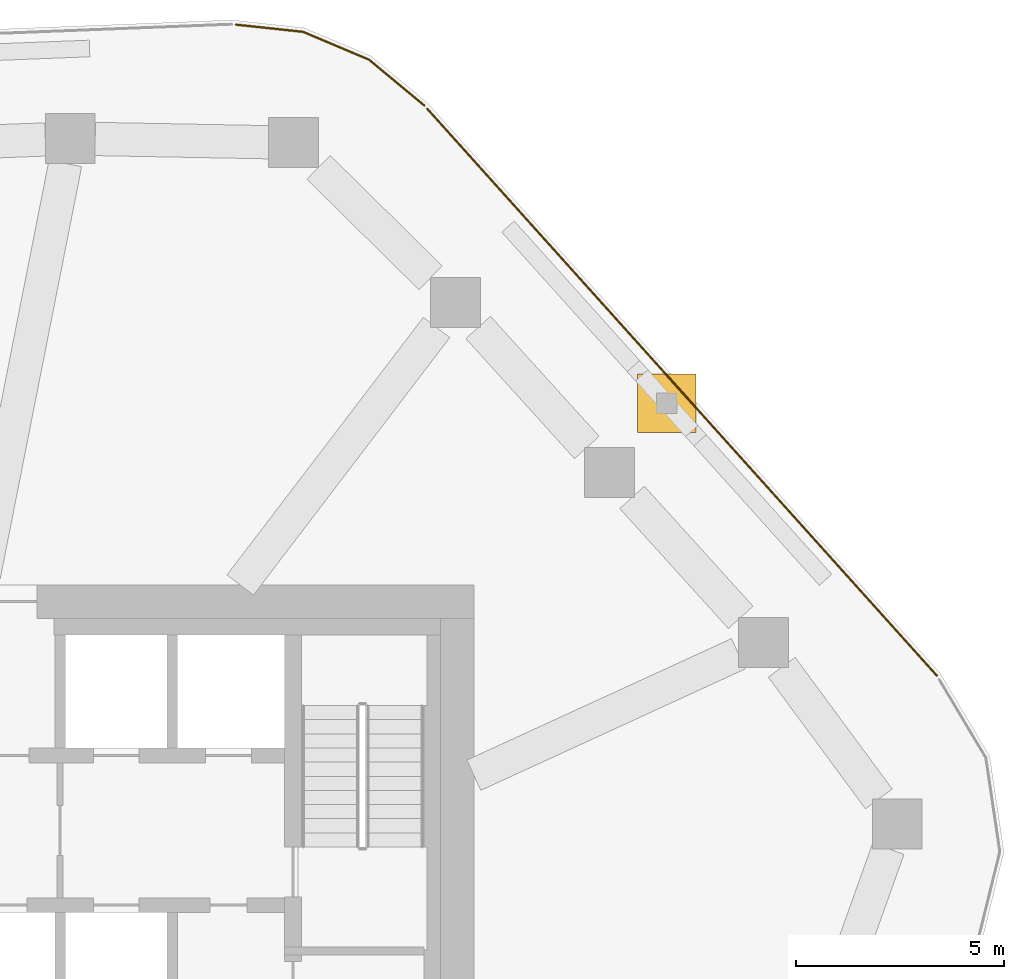
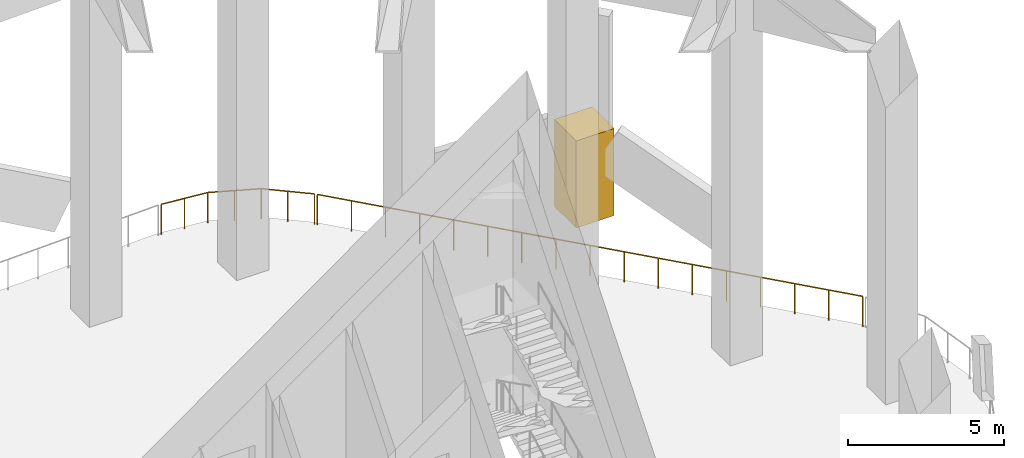
# One storey, part 12 of 12: 2 railings, 1 covering.
"""IFC4 building model written with IfcOpenShell, lengths in metres."""

from ifc_helpers import new_model, si_unit, direction, frame, origin, origin_2d, place, context, subcontext, project, spatial, rectangle, circle, extrude, material, material_profile, profile_set, type_object, element, save


model = new_model("IFC4")

# Units and contexts
model_context = context("Model", 3, precision=1e-05, world=origin(), true_north=direction((0.0, 1.0)))
body_context = subcontext(model_context, "Body", "Model", "MODEL_VIEW")
ifc_project = project(units=[si_unit("LENGTHUNIT", "METRE"), si_unit("AREAUNIT", "SQUARE_METRE"), si_unit("VOLUMEUNIT", "CUBIC_METRE"), si_unit("PLANEANGLEUNIT", "RADIAN"), si_unit("MASSUNIT", "GRAM", prefix="KILO")], contexts=[model_context])

# Site, building, storey
site_placement = place(None, origin())
site = spatial("IfcSite", under=ifc_project, at=site_placement, CompositionType="ELEMENT")
building_placement = place(site_placement, origin())
building = spatial("IfcBuilding", under=site, at=building_placement, Name="Dongbaek Canopy Tower", CompositionType="ELEMENT")
storey_placement = place(building_placement, frame((0.0, 0.0, 183.800048828125)))
storey = spatial("IfcBuildingStorey", under=building, at=storey_placement, Name="L40", CompositionType="ELEMENT", Elevation=183.800048828125)

# Railings
ifc_material_1 = material(Name="Stainless steel", Category="steel")
railing_type = type_object("IfcRailingType", Name="Slot guard 1200", PredefinedType="GUARDRAIL", material=ifc_material_1)
railing_1_placement = place(storey_placement, frame((25.13525390625, 8.81640625, 0.0)))
element("IfcRailing", 1, at=railing_1_placement, inside=storey, type_object=railing_type, Name="Slot guard L40 F0", PredefinedType="GUARDRAIL", context=body_context, shape_type="SweptSolid", body=[
    extrude(circle(Radius=0.02392578125, at=origin_2d()), frame((0.0, 0.0, 1.17578125), z_axis=(-0.668531390104, 0.743683925096, 0.0), x_axis=(-0.743683925096, -0.668531390104, 0.0)), (0.0, 0.0, 1.0), 18.33837890625),
    extrude(circle(Radius=0.02099609375, at=origin_2d()), origin(), (0.0, 0.0, 1.0), 1.15185546875),
    extrude(circle(Radius=0.02099609375, at=origin_2d()), frame((-0.76611328125, 0.852294921875, 0.0)), (0.0, 0.0, 1.0), 1.15185546875),
    extrude(circle(Radius=0.02099609375, at=origin_2d()), frame((-1.532470703125, 1.704833984375, 0.0)), (0.0, 0.0, 1.0), 1.15185546875),
    extrude(circle(Radius=0.02099609375, at=origin_2d()), frame((-2.298828125, 2.55712890625, 0.0)), (0.0, 0.0, 1.0), 1.15185546875),
    extrude(circle(Radius=0.02099609375, at=origin_2d()), frame((-3.06494140625, 3.409423828125, 0.0)), (0.0, 0.0, 1.0), 1.15185546875),
    extrude(circle(Radius=0.02099609375, at=origin_2d()), frame((-3.8310546875, 4.261962890625, 0.0)), (0.0, 0.0, 1.0), 1.15185546875),
    extrude(circle(Radius=0.02099609375, at=origin_2d()), frame((-4.597412109375, 5.1142578125, 0.0)), (0.0, 0.0, 1.0), 1.15185546875),
    extrude(circle(Radius=0.02099609375, at=origin_2d()), frame((-5.36376953125, 5.966552734375, 0.0)), (0.0, 0.0, 1.0), 1.15185546875),
    extrude(circle(Radius=0.02099609375, at=origin_2d()), frame((-6.1298828125, 6.81884765625, 0.0)), (0.0, 0.0, 1.0), 1.15185546875),
    extrude(circle(Radius=0.02099609375, at=origin_2d()), frame((-6.89599609375, 7.67138671875, 0.0)), (0.0, 0.0, 1.0), 1.15185546875),
    extrude(circle(Radius=0.02099609375, at=origin_2d()), frame((-7.662353515625, 8.523681640625, 0.0)), (0.0, 0.0, 1.0), 1.15185546875),
    extrude(circle(Radius=0.02099609375, at=origin_2d()), frame((-8.4287109375, 9.3759765625, 0.0)), (0.0, 0.0, 1.0), 1.15185546875),
    extrude(circle(Radius=0.02099609375, at=origin_2d()), frame((-9.19482421875, 10.228515625, 0.0)), (0.0, 0.0, 1.0), 1.15185546875),
    extrude(circle(Radius=0.02099609375, at=origin_2d()), frame((-9.9609375, 11.080810546875, 0.0)), (0.0, 0.0, 1.0), 1.15185546875),
    extrude(circle(Radius=0.02099609375, at=origin_2d()), frame((-10.727294921875, 11.93310546875, 0.0)), (0.0, 0.0, 1.0), 1.15185546875),
    extrude(circle(Radius=0.02099609375, at=origin_2d()), frame((-11.49365234375, 12.78564453125, 0.0)), (0.0, 0.0, 1.0), 1.15185546875),
    extrude(circle(Radius=0.02099609375, at=origin_2d()), frame((-12.259765625, 13.637939453125, 0.0)), (0.0, 0.0, 1.0), 1.15185546875),
])
railing_2_placement = place(storey_placement, frame((12.80859375, 22.528564453125, 0.0)))
element("IfcRailing", 2, at=railing_2_placement, inside=storey, type_object=railing_type, Name="Slot guard L40 K1", PredefinedType="GUARDRAIL", context=body_context, shape_type="SweptSolid", body=[
    extrude(circle(Radius=0.02392578125, at=origin_2d()), frame((0.0, 0.0, 1.17578125), z_axis=(-0.76977151192, 0.638319527695, 0.0), x_axis=(-0.638319527695, -0.76977151192, 0.0)), (0.0, 0.0, 1.0), 1.727294921875),
    extrude(circle(Radius=0.02392578125, at=origin_2d()), frame((-1.32958984375, 1.1025390625, 1.17578125), z_axis=(-0.921188505409, 0.389116611701, 0.0), x_axis=(-0.389116611701, -0.921188505409, 0.0)), (0.0, 0.0, 1.0), 1.7197265625),
    extrude(circle(Radius=0.02392578125, at=origin_2d()), frame((-2.913818359375, 1.771728515625, 1.17578125), z_axis=(-0.994277893482, 0.106824484708, 0.0), x_axis=(-0.106824484708, -0.994277893482, 0.0)), (0.0, 0.0, 1.0), 1.627197265625),
    extrude(circle(Radius=0.02099609375, at=origin_2d()), origin(), (0.0, 0.0, 1.0), 1.15185546875),
    extrude(circle(Radius=0.02099609375, at=origin_2d()), frame((-0.664794921875, 0.55126953125, 0.0)), (0.0, 0.0, 1.0), 1.15185546875),
    extrude(circle(Radius=0.02099609375, at=origin_2d()), frame((-1.32958984375, 1.1025390625, 0.0)), (0.0, 0.0, 1.0), 1.15185546875),
    extrude(circle(Radius=0.02099609375, at=origin_2d()), frame((-2.12158203125, 1.43701171875, 0.0)), (0.0, 0.0, 1.0), 1.15185546875),
    extrude(circle(Radius=0.02099609375, at=origin_2d()), frame((-2.913818359375, 1.771728515625, 0.0)), (0.0, 0.0, 1.0), 1.15185546875),
    extrude(circle(Radius=0.02099609375, at=origin_2d()), frame((-3.72265625, 1.858642578125, 0.0)), (0.0, 0.0, 1.0), 1.15185546875),
    extrude(circle(Radius=0.02099609375, at=origin_2d()), frame((-4.53173828125, 1.945556640625, 0.0)), (0.0, 0.0, 1.0), 1.15185546875),
])

# Covering
ifc_material_2 = material(Name="Aluminium 6063-T6 pale metal turbine rotor", Category="aluminium")
ifc_material_profile = material_profile(ifc_material_2, rectangle(XDim=1.39990234375, YDim=1.39990234375, at=origin_2d()), Name="Turbine hub 1400")
ifc_profile_set = profile_set([ifc_material_profile], Name="Aluminium 6063-T6 pale metal turbine rotor")
covering_type = type_object("IfcCoveringType", Name="Turbine hub 1400", PredefinedType="CLADDING", material=ifc_profile_set)
covering_placement = place(storey_placement, frame((18.637939453125, 15.370849609375, 2.807861328125), z_axis=(0.0, 0.0, 1.0), x_axis=(1.0, 0.0, 0.0)))
element("IfcCovering", 3, at=covering_placement, inside=storey, type_object=covering_type, Name="Turbine 1 hub", PredefinedType="CLADDING", context=body_context, shape_type="SweptSolid", body=[
    extrude(rectangle(XDim=1.39990234375, YDim=1.39990234375, at=origin_2d()), origin(), (0.0, 0.0, 1.0), 3.400146484375),
])

save(model, "model.ifc")
